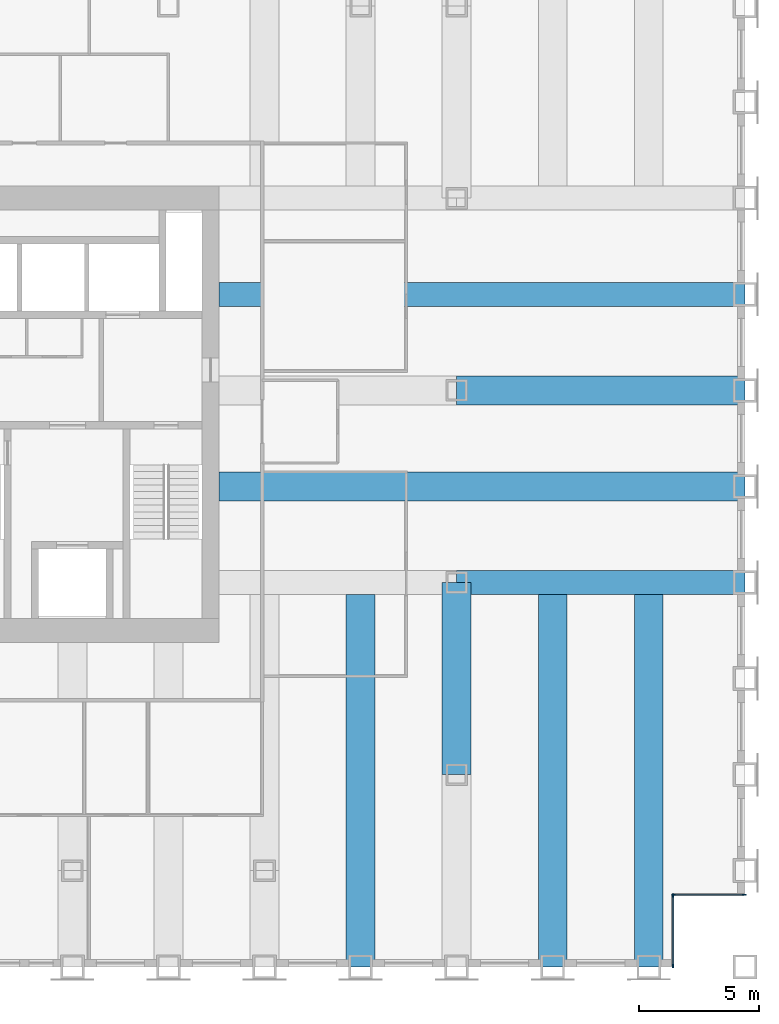
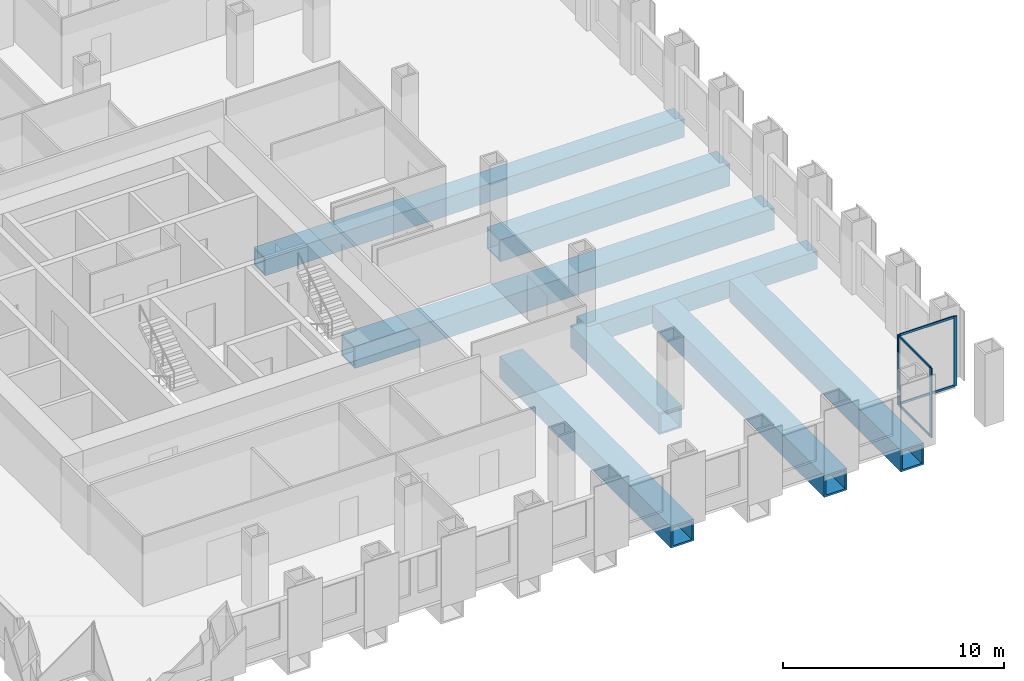
# One storey, part 4 of 14: 8 beams, 8 members, 2 elements without a shape of their own.
"""IFC4 building model written with IfcOpenShell, lengths in metres."""

from ifc_helpers import new_model, si_unit, direction, frame, origin, origin_2d, place, context, subcontext, project, spatial, rectangle, hollow_rectangle, extrude, material, material_profile, profile_set, type_object, element, aggregate, save


model = new_model("IFC4")

# Units and contexts
model_context = context("Model", 3, precision=1e-05, world=origin(), true_north=direction((0.0, 1.0)))
body_context = subcontext(model_context, "Body", "Model", "MODEL_VIEW")
ifc_project = project(units=[si_unit("LENGTHUNIT", "METRE"), si_unit("AREAUNIT", "SQUARE_METRE"), si_unit("VOLUMEUNIT", "CUBIC_METRE"), si_unit("PLANEANGLEUNIT", "RADIAN"), si_unit("MASSUNIT", "GRAM", prefix="KILO")], contexts=[model_context])

# Site, building, storey
site_placement = place(None, origin())
site = spatial("IfcSite", under=ifc_project, at=site_placement, CompositionType="ELEMENT")
building_placement = place(site_placement, origin())
building = spatial("IfcBuilding", under=site, at=building_placement, Name="Rimbunsela Tower", CompositionType="ELEMENT")
storey_placement = place(building_placement, frame((0.0, 0.0, 109.39990234375)))
storey = spatial("IfcBuildingStorey", under=building, at=storey_placement, Name="L26", CompositionType="ELEMENT", Elevation=109.39990234375)

# Beams
ifc_material_1 = material(Name="Steel BJ 55 (fy 410 MPa)", Category="steel")
ifc_material_profile_1 = material_profile(ifc_material_1, hollow_rectangle(XDim=1.0, YDim=1.0, WallThickness=0.10009765625, at=origin_2d()), Name="BOX 1000x1000x100")
ifc_profile_set_1 = profile_set([ifc_material_profile_1], Name="Steel BJ 55 (fy 410 MPa)")
beam_type_1 = type_object("IfcBeamType", Name="Beam BOX 1000x1000x100", PredefinedType="BEAM", material=ifc_profile_set_1)
beam_1_placement = place(storey_placement, frame((36.10009765625, 32.0, -0.64990234375), z_axis=(1.0, 0.0, 0.0), x_axis=(0.0, 1.0, 0.0)))
element("IfcBeam", 1, at=beam_1_placement, inside=storey, type_object=beam_type_1, Name="Beam B3 L26", PredefinedType="BEAM", context=body_context, shape_type="SweptSolid", body=[
    extrude(hollow_rectangle(XDim=1.0, YDim=1.0, WallThickness=0.10009765625, at=origin_2d()), origin(), (0.0, 0.0, 1.0), 21.89990234375),
])
beam_2_placement = place(storey_placement, frame((46.0, 20.0, -0.64990234375), z_axis=(1.0, 0.0, 0.0), x_axis=(0.0, 1.0, 0.0)))
element("IfcBeam", 2, at=beam_2_placement, inside=storey, type_object=beam_type_1, Name="Beam B3 L26", PredefinedType="BEAM", context=body_context, shape_type="SweptSolid", body=[
    extrude(hollow_rectangle(XDim=1.0, YDim=1.0, WallThickness=0.10009765625, at=origin_2d()), origin(), (0.0, 0.0, 1.0), 12.0),
])
ifc_material_2 = material(Name="Steel BJ 55 (fy 410 MPa)", Category="steel")
ifc_material_profile_2 = material_profile(ifc_material_2, hollow_rectangle(XDim=1.199951171875, YDim=1.199951171875, WallThickness=0.10009765625, at=origin_2d()), Name="BOX 1200x1200x100")
ifc_profile_set_2 = profile_set([ifc_material_profile_2], Name="Steel BJ 55 (fy 410 MPa)")
beam_type_2 = type_object("IfcBeamType", Name="Beam BOX 1200x1200x100", PredefinedType="BEAM", material=ifc_profile_set_2)
beam_3_placement = place(storey_placement, frame((36.10009765625, 24.0, -0.75), z_axis=(1.0, 0.0, 0.0), x_axis=(0.0, 1.0, 0.0)))
element("IfcBeam", 3, at=beam_3_placement, inside=storey, type_object=beam_type_2, Name="Beam B5 L26", PredefinedType="BEAM", context=body_context, shape_type="SweptSolid", body=[
    extrude(hollow_rectangle(XDim=1.199951171875, YDim=1.199951171875, WallThickness=0.10009765625, at=origin_2d()), origin(), (0.0, 0.0, 1.0), 21.89990234375),
])
beam_4_placement = place(storey_placement, frame((42.0, 4.0, -0.75), z_axis=(0.0, 1.0, 0.0), x_axis=(-1.0, 0.0, 0.0)))
element("IfcBeam", 4, at=beam_4_placement, inside=storey, type_object=beam_type_2, Name="Beam B5 L26", PredefinedType="BEAM", context=body_context, shape_type="SweptSolid", body=[
    extrude(hollow_rectangle(XDim=1.199951171875, YDim=1.199951171875, WallThickness=0.10009765625, at=origin_2d()), origin(), (0.0, 0.0, 1.0), 15.5),
])
beam_5_placement = place(storey_placement, frame((46.0, 12.0, -0.75), z_axis=(0.0, 1.0, 0.0), x_axis=(-1.0, 0.0, 0.0)))
element("IfcBeam", 5, at=beam_5_placement, inside=storey, type_object=beam_type_2, Name="Beam B5 L26", PredefinedType="BEAM", context=body_context, shape_type="SweptSolid", body=[
    extrude(hollow_rectangle(XDim=1.199951171875, YDim=1.199951171875, WallThickness=0.10009765625, at=origin_2d()), origin(), (0.0, 0.0, 1.0), 8.0),
])
beam_6_placement = place(storey_placement, frame((46.0, 28.0, -0.75), z_axis=(1.0, 0.0, 0.0), x_axis=(0.0, 1.0, 0.0)))
element("IfcBeam", 6, at=beam_6_placement, inside=storey, type_object=beam_type_2, Name="Beam B5 L26", PredefinedType="BEAM", context=body_context, shape_type="SweptSolid", body=[
    extrude(hollow_rectangle(XDim=1.199951171875, YDim=1.199951171875, WallThickness=0.10009765625, at=origin_2d()), origin(), (0.0, 0.0, 1.0), 12.0),
])
for number, where, z_axis, x_axis, name in (
    (7, (50.0, 4.0, -0.75), (0.0, 1.0, 0.0), (-1.0, 0.0, 0.0), "Beam B5 L26"),
    (8, (54.0, 4.0, -0.75), (0.0, 1.0, 0.0), (-1.0, 0.0, 0.0), "Beam B5 L26"),
):
    element("IfcBeam", number, at=place(storey_placement, frame(where, z_axis=z_axis, x_axis=x_axis)), inside=storey, type_object=beam_type_2, Name=name, PredefinedType="BEAM", context=body_context, shape_type="SweptSolid", body=[
        extrude(hollow_rectangle(XDim=1.199951171875, YDim=1.199951171875, WallThickness=0.10009765625, at=origin_2d()), origin(), (0.0, 0.0, 1.0), 15.5),
    ])

# Curtain wall, members
ifc_material_3 = material(Name="Aluminium curtain wall", Category="aluminium")
curtain_wall_type = type_object("IfcCurtainWallType", Name="Corner glazing", PredefinedType="USERDEFINED", material=ifc_material_3)
curtain_wall_1_placement = place(storey_placement, origin())
curtain_wall_1 = element("IfcCurtainWall", 9, at=curtain_wall_1_placement, inside=storey, type_object=curtain_wall_type, Name="Corner glazing L26", ObjectType="CORNER GLAZING", PredefinedType="USERDEFINED")
ifc_material_4 = material(Name="Aluminium mullion", Category="aluminium")
ifc_material_profile_3 = material_profile(ifc_material_4, rectangle(XDim=0.06005859375, YDim=0.159912109375, at=origin_2d()), Name="Mullion 60x160")
ifc_profile_set_3 = profile_set([ifc_material_profile_3], Name="Aluminium mullion")
member_type_1 = type_object("IfcMemberType", Name="Curtain wall mullion 60x160", PredefinedType="MULLION", material=ifc_profile_set_3)
member_1_placement = place(storey_placement, frame((55.0, 4.030029296875, 0.0), z_axis=(0.0, 0.0, 1.0), x_axis=(-1.0, 0.0, 0.0)))
member_1 = element("IfcMember", 10, at=member_1_placement, type_object=member_type_1, Name="CW5 mullion 1", PredefinedType="MULLION", context=body_context, shape_type="SweptSolid", body=[
    extrude(rectangle(XDim=0.06005859375, YDim=0.159912109375, at=origin_2d()), origin(), (0.0, 0.0, 1.0), 3.85009765625),
])
member_2_placement = place(storey_placement, frame((55.0, 6.969970703125, 0.0), z_axis=(0.0, 0.0, 1.0), x_axis=(-1.0, 0.0, 0.0)))
member_2 = element("IfcMember", 11, at=member_2_placement, type_object=member_type_1, Name="CW5 mullion 2", PredefinedType="MULLION", context=body_context, shape_type="SweptSolid", body=[
    extrude(rectangle(XDim=0.06005859375, YDim=0.159912109375, at=origin_2d()), origin(), (0.0, 0.0, 1.0), 3.85009765625),
])

curtain_wall_2_placement = place(storey_placement, origin())
curtain_wall_2 = element("IfcCurtainWall", 12, at=curtain_wall_2_placement, inside=storey, type_object=curtain_wall_type, Name="Corner glazing L26", ObjectType="CORNER GLAZING", PredefinedType="USERDEFINED")
member_3_placement = place(storey_placement, frame((55.030029296875, 7.0, 0.0), z_axis=(0.0, 0.0, 1.0), x_axis=(0.0, 1.0, 0.0)))
member_3 = element("IfcMember", 13, at=member_3_placement, type_object=member_type_1, Name="CW5 mullion 1", PredefinedType="MULLION", context=body_context, shape_type="SweptSolid", body=[
    extrude(rectangle(XDim=0.06005859375, YDim=0.159912109375, at=origin_2d()), origin(), (0.0, 0.0, 1.0), 3.85009765625),
])
member_4_placement = place(storey_placement, frame((57.969970703125, 7.0, 0.0), z_axis=(0.0, 0.0, 1.0), x_axis=(0.0, 1.0, 0.0)))
member_4 = element("IfcMember", 14, at=member_4_placement, type_object=member_type_1, Name="CW5 mullion 2", PredefinedType="MULLION", context=body_context, shape_type="SweptSolid", body=[
    extrude(rectangle(XDim=0.06005859375, YDim=0.159912109375, at=origin_2d()), origin(), (0.0, 0.0, 1.0), 3.85009765625),
])

# Member
ifc_material_5 = material(Name="Aluminium transom", Category="aluminium")
ifc_material_profile_4 = material_profile(ifc_material_5, rectangle(XDim=0.06005859375, YDim=0.1201171875, at=origin_2d()), Name="Transom 60x120")
ifc_profile_set_4 = profile_set([ifc_material_profile_4], Name="Aluminium transom")
member_type_2 = type_object("IfcMemberType", Name="Curtain wall transom 60x120", PredefinedType="USERDEFINED", material=ifc_profile_set_4)
member_5_placement = place(storey_placement, frame((55.0, 4.06005859375, 0.030029296875), z_axis=(0.0, 1.0, 0.0), x_axis=(-1.0, 0.0, 0.0)))
member_5 = element("IfcMember", 15, at=member_5_placement, type_object=member_type_2, Name="CW5 transom 1.1", ObjectType="TRANSOM", PredefinedType="USERDEFINED", context=body_context, shape_type="SweptSolid", body=[
    extrude(rectangle(XDim=0.06005859375, YDim=0.1201171875, at=origin_2d()), origin(), (0.0, 0.0, 1.0), 2.8798828125),
])

member_6_placement = place(storey_placement, frame((55.0, 4.06005859375, 3.820068359375), z_axis=(0.0, 1.0, 0.0), x_axis=(-1.0, 0.0, 0.0)))
member_6 = element("IfcMember", 16, at=member_6_placement, type_object=member_type_2, Name="CW5 transom 1.2", ObjectType="TRANSOM", PredefinedType="USERDEFINED", context=body_context, shape_type="SweptSolid", body=[
    extrude(rectangle(XDim=0.06005859375, YDim=0.1201171875, at=origin_2d()), origin(), (0.0, 0.0, 1.0), 2.8798828125),
])

aggregate(curtain_wall_1, [member_1, member_2, member_5, member_6])

member_7_placement = place(storey_placement, frame((55.06005859375, 7.0, 0.030029296875), z_axis=(1.0, 0.0, 0.0), x_axis=(0.0, 1.0, 0.0)))
member_7 = element("IfcMember", 17, at=member_7_placement, type_object=member_type_2, Name="CW5 transom 1.1", ObjectType="TRANSOM", PredefinedType="USERDEFINED", context=body_context, shape_type="SweptSolid", body=[
    extrude(rectangle(XDim=0.06005859375, YDim=0.1201171875, at=origin_2d()), origin(), (0.0, 0.0, 1.0), 2.8798828125),
])

member_8_placement = place(storey_placement, frame((55.06005859375, 7.0, 3.820068359375), z_axis=(1.0, 0.0, 0.0), x_axis=(0.0, 1.0, 0.0)))
member_8 = element("IfcMember", 18, at=member_8_placement, type_object=member_type_2, Name="CW5 transom 1.2", ObjectType="TRANSOM", PredefinedType="USERDEFINED", context=body_context, shape_type="SweptSolid", body=[
    extrude(rectangle(XDim=0.06005859375, YDim=0.1201171875, at=origin_2d()), origin(), (0.0, 0.0, 1.0), 2.8798828125),
])

aggregate(curtain_wall_2, [member_3, member_4, member_7, member_8])

save(model, "model.ifc")
